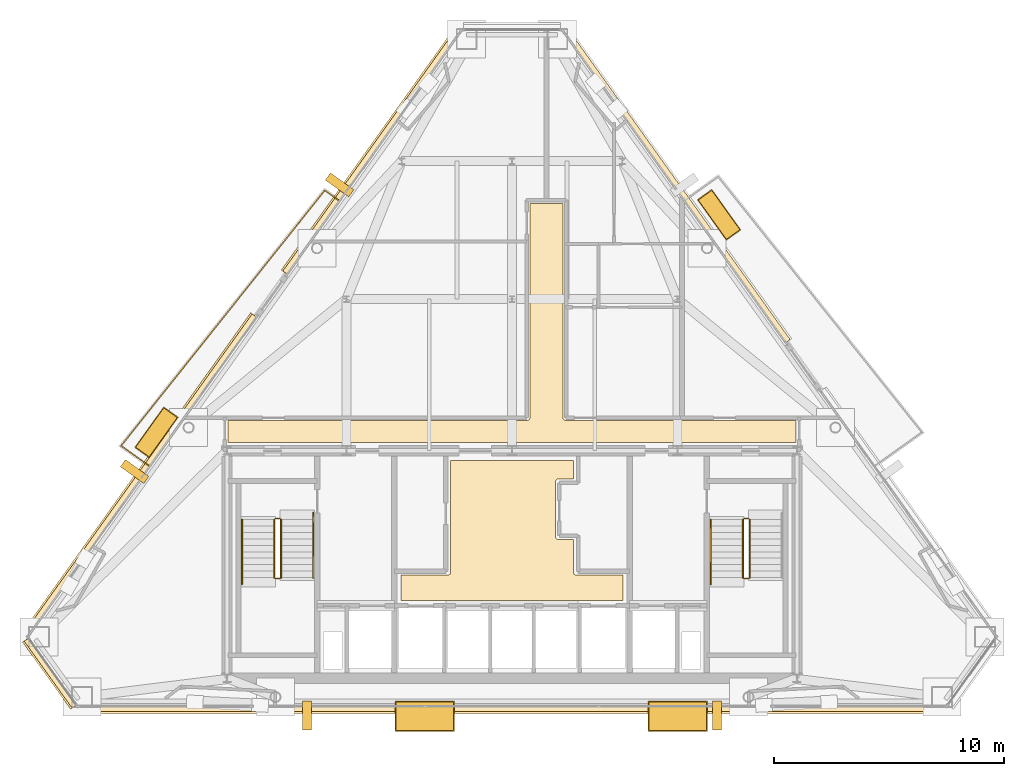
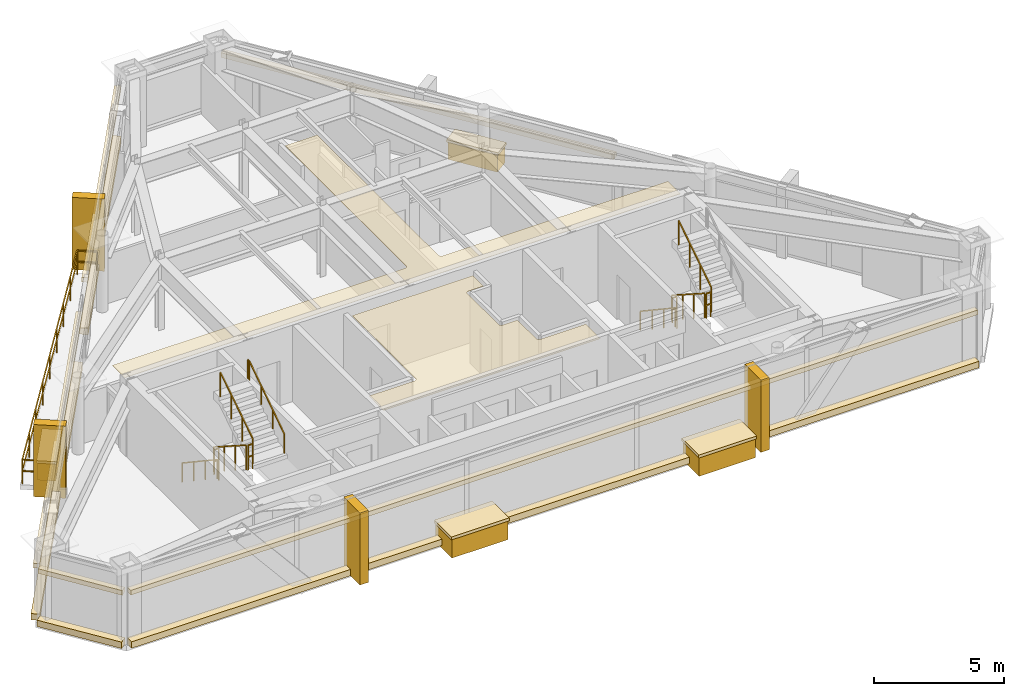
# One storey, part 10 of 11: 23 coverings, 12 railings.
"""IFC4 building model written with IfcOpenShell, lengths in metres."""

from ifc_helpers import new_model, si_unit, direction, frame, origin, origin_2d, place, context, subcontext, project, spatial, polyline, rectangle, outline, extrude, material, layer, layer_set, type_object, element, save


model = new_model("IFC4")

# Units and contexts
model_context = context("Model", 3, precision=1e-05, world=origin(), true_north=direction((0.0, 1.0)))
body_context = subcontext(model_context, "Body", "Model", "MODEL_VIEW")
ifc_project = project(units=[si_unit("LENGTHUNIT", "METRE"), si_unit("AREAUNIT", "SQUARE_METRE"), si_unit("VOLUMEUNIT", "CUBIC_METRE"), si_unit("PLANEANGLEUNIT", "RADIAN"), si_unit("MASSUNIT", "GRAM", prefix="KILO")], contexts=[model_context])

# Site, building, storey
site_placement = place(None, origin())
site = spatial("IfcSite", under=ifc_project, at=site_placement, CompositionType="ELEMENT")
building_placement = place(site_placement, origin())
building = spatial("IfcBuilding", under=site, at=building_placement, Name="Talgorran Terracotta Tower", CompositionType="ELEMENT")
storey_placement = place(building_placement, frame((0.0, 0.0, 274.199951171875)))
storey = spatial("IfcBuildingStorey", under=building, at=storey_placement, Name="L72", CompositionType="ELEMENT", Elevation=274.199951171875)

# Coverings
ifc_material_1 = material(Name="Kiln-Fired Terracotta Ochre Ceramic", Category="masonry")
ifc_layer_1 = layer(ifc_material_1, 0.179931640625, Name="COV_BAGUETTE_TERRACOTTA_SCREEN")
ifc_layer_set_1 = layer_set([ifc_layer_1], Name="Kiln-Fired Terracotta Ochre Ceramic")
covering_type_1 = type_object("IfcCoveringType", Name="COV_BAGUETTE_TERRACOTTA_SCREEN", PredefinedType="CLADDING", material=ifc_layer_set_1)
covering_1_placement = place(storey_placement, frame((-20.07958984375, -13.869384765625, 2.41015625), z_axis=(0.0, 0.0, 1.0), x_axis=(0.58173974083, -0.813374989743, 0.0)))
element("IfcCovering", 1, at=covering_1_placement, inside=storey, type_object=covering_type_1, Name="L72 Terracotta Baguette Solar Screen Assembly F0", PredefinedType="CLADDING", context=body_context, shape_type="SweptSolid", body=[
    extrude(rectangle(XDim=3.5673828125, YDim=0.260009765625, at=origin_2d()), origin(), (0.0, 0.0, 1.0), 0.219970703125),
])
covering_2_placement = place(storey_placement, frame((0.0, -15.4189453125, 2.41015625), z_axis=(0.0, 0.0, 1.0), x_axis=(1.0, 0.0, 0.0)))
element("IfcCovering", 2, at=covering_2_placement, inside=storey, type_object=covering_type_1, Name="L72 Terracotta Baguette Solar Screen Assembly F1", PredefinedType="CLADDING", context=body_context, shape_type="SweptSolid", body=[
    extrude(rectangle(XDim=37.699951171875, YDim=0.260009765625, at=origin_2d()), origin(), (0.0, 0.0, 1.0), 0.219970703125),
])
covering_3_placement = place(storey_placement, frame((7.16259765625, 7.323486328125, 2.41015625), z_axis=(0.0, 0.0, 1.0), x_axis=(-0.58173974083, 0.813374989743, 0.0)))
element("IfcCovering", 3, at=covering_3_placement, inside=storey, type_object=covering_type_1, Name="L72 Terracotta Baguette Solar Screen Assembly F41", PredefinedType="CLADDING", context=body_context, shape_type="SweptSolid", body=[
    extrude(rectangle(XDim=16.627197265625, YDim=0.260009765625, at=origin_2d()), origin(), (0.0, 0.0, 1.0), 0.219970703125),
])
covering_4_placement = place(storey_placement, frame((-6.095947265625, 8.814697265625, 2.41015625), z_axis=(0.0, 0.0, 1.0), x_axis=(-0.58172554467, -0.813385142893, 0.0)))
element("IfcCovering", 4, at=covering_4_placement, inside=storey, type_object=covering_type_1, Name="L72 Terracotta Baguette Solar Screen Assembly F60", PredefinedType="CLADDING", context=body_context, shape_type="SweptSolid", body=[
    extrude(rectangle(XDim=12.96044921875, YDim=0.260009765625, at=origin_2d()), origin(), (0.0, 0.0, 1.0), 0.219970703125),
])
covering_5_placement = place(storey_placement, frame((-16.148681640625, -5.241455078125, 2.41015625), z_axis=(0.0, 0.0, 1.0), x_axis=(-0.58172554467, -0.813385142893, 0.0)))
element("IfcCovering", 5, at=covering_5_placement, inside=storey, type_object=covering_type_1, Name="L72 Terracotta Baguette Solar Screen Assembly F61", PredefinedType="CLADDING", context=body_context, shape_type="SweptSolid", body=[
    extrude(rectangle(XDim=17.001708984375, YDim=0.260009765625, at=origin_2d()), origin(), (0.0, 0.0, 1.0), 0.219970703125),
])
ifc_material_2 = material(Name="Mineral Fibre Acoustic Tile")
ifc_layer_2 = layer(ifc_material_2, 0.02490234375, Name="COV_CEIL_ACOUSTIC")
ifc_layer_set_2 = layer_set([ifc_layer_2], Name="Mineral Fibre Acoustic Tile")
covering_type_2 = type_object("IfcCoveringType", Name="COV_CEIL_ACOUSTIC", PredefinedType="CEILING", material=ifc_layer_set_2)
covering_6_placement = place(storey_placement, frame((0.0, 0.0, 3.255126953125)))
element("IfcCovering", 6, at=covering_6_placement, inside=storey, type_object=covering_type_2, Name="CEIL-L72-2", PredefinedType="CEILING", context=body_context, shape_type="SweptSolid", body=[
    extrude(outline(polyline([(-12.364990234375, -2.885009765625), (0.64990234375, -2.885009765625), (0.66162109375, -2.884521484375), (0.67333984375, -2.8828125), (0.6845703125, -2.8798828125), (0.69287109375, -2.87744140625), (0.7041015625, -2.87353515625), (0.714599609375, -2.868408203125), (0.724853515625, -2.8623046875), (0.734375, -2.85546875), (0.742919921875, -2.847412109375), (0.7509765625, -2.8388671875), (0.756591796875, -2.83203125), (0.763671875, -2.822509765625), (0.769775390625, -2.8125), (0.774658203125, -2.8017578125), (0.77880859375, -2.79052734375), (0.781494140625, -2.779296875), (0.783203125, -2.767578125), (0.783935546875, -2.755615234375), (0.784912109375, 6.56494140625), (2.215087890625, 6.56494140625), (2.215087890625, -2.75), (2.215576171875, -2.76171875), (2.21728515625, -2.773193359375), (2.22021484375, -2.78466796875), (2.22265625, -2.79296875), (2.2265625, -2.803955078125), (2.231689453125, -2.814697265625), (2.237548828125, -2.82470703125), (2.24462890625, -2.834228515625), (2.25244140625, -2.843017578125), (2.26123046875, -2.850830078125), (2.26806640625, -2.8564453125), (2.277587890625, -2.863525390625), (2.28759765625, -2.86962890625), (2.29833984375, -2.874755859375), (2.309326171875, -2.878662109375), (2.32080078125, -2.881591796875), (2.33251953125, -2.88330078125), (2.34423828125, -2.8837890625), (12.364990234375, -2.885009765625), (12.364990234375, -3.844970703125), (7.432861328125, -3.844970703125), (6.968017578125, -3.843017578125), (6.967529296875, -3.843017578125), (0.232666015625, -3.844970703125), (-0.23193359375, -3.843017578125), (-0.232421875, -3.843017578125), (-6.96728515625, -3.844970703125), (-7.431884765625, -3.843017578125), (-7.4326171875, -3.843017578125), (-12.364990234375, -3.844970703125), (-12.364990234375, -2.885009765625)])), origin(), (0.0, 0.0, 1.0), 0.02001953125),
])
ifc_material_3 = material(Name="Flush Moisture-Resistant Plaster")
ifc_layer_3 = layer(ifc_material_3, 0.01806640625, Name="COV_CEIL_PLASTER")
ifc_layer_set_3 = layer_set([ifc_layer_3], Name="Flush Moisture-Resistant Plaster")
covering_type_3 = type_object("IfcCoveringType", Name="COV_CEIL_PLASTER", PredefinedType="CEILING", material=ifc_layer_set_3)
covering_7_placement = place(storey_placement, frame((0.0, 0.0, 3.255126953125)))
element("IfcCovering", 7, at=covering_7_placement, inside=storey, type_object=covering_type_3, Name="CEIL-L72-1", PredefinedType="CEILING", context=body_context, shape_type="SweptSolid", body=[
    extrude(outline(polyline([(4.830078125, -9.6201171875), (4.830078125, -10.72998046875), (-4.830078125, -10.72998046875), (-4.830078125, -9.6201171875), (-2.800048828125, -9.6201171875), (-2.7880859375, -9.619384765625), (-2.776611328125, -9.61767578125), (-2.76513671875, -9.61474609375), (-2.754150390625, -9.61083984375), (-2.743408203125, -9.605712890625), (-2.7333984375, -9.599853515625), (-2.723876953125, -9.5927734375), (-2.715087890625, -9.5849609375), (-2.707275390625, -9.576171875), (-2.7001953125, -9.566650390625), (-2.694091796875, -9.556640625), (-2.689208984375, -9.5458984375), (-2.685302734375, -9.534912109375), (-2.682373046875, -9.5234375), (-2.6806640625, -9.51171875), (-2.679931640625, -9.5), (-2.679931640625, -4.6201171875), (2.679931640625, -4.6201171875), (2.679931640625, -5.429931640625), (2.02001953125, -5.429931640625), (2.00830078125, -5.4306640625), (1.99658203125, -5.432373046875), (1.985107421875, -5.435302734375), (1.97412109375, -5.439208984375), (1.96337890625, -5.444091796875), (1.953369140625, -5.4501953125), (1.94384765625, -5.457275390625), (1.93505859375, -5.465087890625), (1.92724609375, -5.473876953125), (1.920166015625, -5.4833984375), (1.914306640625, -5.493408203125), (1.9091796875, -5.504150390625), (1.9052734375, -5.51513671875), (1.90234375, -5.526611328125), (1.900634765625, -5.5380859375), (1.89990234375, -5.550048828125), (1.89990234375, -7.949951171875), (1.900634765625, -7.9619140625), (1.90234375, -7.973388671875), (1.9052734375, -7.98486328125), (1.9091796875, -7.995849609375), (1.914306640625, -8.006591796875), (1.920166015625, -8.0166015625), (1.92724609375, -8.026123046875), (1.93505859375, -8.034912109375), (1.94384765625, -8.042724609375), (1.953369140625, -8.0498046875), (1.96337890625, -8.055908203125), (1.97412109375, -8.060791015625), (1.985107421875, -8.064697265625), (1.99658203125, -8.067626953125), (2.00830078125, -8.0693359375), (2.02001953125, -8.070068359375), (2.679931640625, -8.070068359375), (2.679931640625, -9.5), (2.6806640625, -9.51171875), (2.682373046875, -9.5234375), (2.685302734375, -9.534912109375), (2.689208984375, -9.5458984375), (2.694091796875, -9.556640625), (2.7001953125, -9.566650390625), (2.707275390625, -9.576171875), (2.715087890625, -9.5849609375), (2.723876953125, -9.5927734375), (2.7333984375, -9.599853515625), (2.743408203125, -9.605712890625), (2.754150390625, -9.61083984375), (2.76513671875, -9.61474609375), (2.776611328125, -9.61767578125), (2.7880859375, -9.619384765625), (2.800048828125, -9.6201171875), (4.830078125, -9.6201171875)])), origin(), (0.0, 0.0, 1.0), 0.02001953125),
])
ifc_material_4 = material(Name="Honed Limestone and Terracotta Planter", Category="masonry")
ifc_layer_4 = layer(ifc_material_4, 0.1201171875, Name="COV_PLANTER_BOX")
ifc_layer_set_4 = layer_set([ifc_layer_4], Name="Honed Limestone and Terracotta Planter")
covering_type_4 = type_object("IfcCoveringType", Name="COV_PLANTER_BOX", PredefinedType="CLADDING", material=ifc_layer_set_4)
for number, where, z_axis, x_axis, name in (
    (8, (7.212890625, -15.7587890625, -0.179931640625), (0.0, 0.0, 1.0), (1.0, 0.0, 0.0), "L72 Staggered South Facade Planter Box 1"),
    (9, (-3.79638671875, -15.7587890625, -0.179931640625), (0.0, 0.0, 1.0), (1.0, 0.0, 0.0), "L72 Staggered South Facade Planter Box 2"),
):
    element("IfcCovering", number, at=place(storey_placement, frame(where, z_axis=z_axis, x_axis=x_axis)), inside=storey, type_object=covering_type_4, Name=name, PredefinedType="CLADDING", context=body_context, shape_type="SweptSolid", body=[
        extrude(rectangle(XDim=2.5, YDim=1.25, at=origin_2d()), origin(), (0.0, 0.0, 1.0), 0.919921875),
    ])
for number, where, z_axis, x_axis, name in (
    (10, (9.010986328125, 6.0625, -0.02001953125), (0.0, 0.0, 1.0), (-0.58172554467, 0.813385142893, 0.0), "L72 Staggered Balcony Planter Box BAL-NE"),
    (11, (-15.4716796875, -3.402587890625, -0.02001953125), (0.0, 0.0, 1.0), (-0.58172554467, -0.813385142893, 0.0), "L72 Staggered Balcony Planter Box BAL-NW"),
):
    element("IfcCovering", number, at=place(storey_placement, frame(where, z_axis=z_axis, x_axis=x_axis)), inside=storey, type_object=covering_type_4, Name=name, PredefinedType="CLADDING", context=body_context, shape_type="SweptSolid", body=[
        extrude(rectangle(XDim=2.10009765625, YDim=0.719970703125, at=origin_2d()), origin(), (0.0, 0.0, 1.0), 0.860107421875),
    ])
ifc_material_5 = material(Name="Kiln-Fired Terracotta Planter Rim", Category="masonry")
ifc_layer_5 = layer(ifc_material_5, 0.10009765625, Name="COV_PLANTER_RIM")
ifc_layer_set_5 = layer_set([ifc_layer_5], Name="Kiln-Fired Terracotta Planter Rim")
covering_type_5 = type_object("IfcCoveringType", Name="COV_PLANTER_RIM", PredefinedType="CLADDING", material=ifc_layer_set_5)
for number, where, z_axis, x_axis, name in (
    (12, (7.212890625, -15.7587890625, 0.7099609375), (0.0, 0.0, 1.0), (1.0, 0.0, 0.0), "L72 South Planter Terracotta Rim 1"),
    (13, (-3.79638671875, -15.7587890625, 0.7099609375), (0.0, 0.0, 1.0), (1.0, 0.0, 0.0), "L72 South Planter Terracotta Rim 2"),
):
    element("IfcCovering", number, at=place(storey_placement, frame(where, z_axis=z_axis, x_axis=x_axis)), inside=storey, type_object=covering_type_5, Name=name, PredefinedType="CLADDING", context=body_context, shape_type="SweptSolid", body=[
        extrude(rectangle(XDim=2.580078125, YDim=1.320068359375, at=origin_2d()), origin(), (0.0, 0.0, 1.0), 0.139892578125),
    ])
for number, where, z_axis, x_axis, name in (
    (14, (9.010986328125, 6.0625, 0.800048828125), (0.0, 0.0, 1.0), (-0.58172554467, 0.813385142893, 0.0), "L72 Balcony Planter Terracotta Rim BAL-NE"),
    (15, (-15.4716796875, -3.402587890625, 0.800048828125), (0.0, 0.0, 1.0), (-0.58172554467, -0.813385142893, 0.0), "L72 Balcony Planter Terracotta Rim BAL-NW"),
):
    element("IfcCovering", number, at=place(storey_placement, frame(where, z_axis=z_axis, x_axis=x_axis)), inside=storey, type_object=covering_type_5, Name=name, PredefinedType="CLADDING", context=body_context, shape_type="SweptSolid", body=[
        extrude(rectangle(XDim=2.179931640625, YDim=0.780029296875, at=origin_2d()), origin(), (0.0, 0.0, 1.0), 0.1201171875),
    ])
ifc_material_6 = material(Name="Honed Limestone Cladding", Category="masonry")
ifc_layer_6 = layer(ifc_material_6, 0.094970703125, Name="COV_PORTAL_LIME")
ifc_layer_set_6 = layer_set([ifc_layer_6], Name="Honed Limestone Cladding")
covering_type_6 = type_object("IfcCoveringType", Name="COV_PORTAL_LIME", PredefinedType="CLADDING", material=ifc_layer_set_6)
covering_8_placement = place(storey_placement, frame((-20.1123046875, -13.892578125, -0.0400390625), z_axis=(0.0, 0.0, 1.0), x_axis=(0.58173974083, -0.813374989743, 0.0)))
element("IfcCovering", 16, at=covering_8_placement, inside=storey, type_object=covering_type_6, Name="L72 Striped Postmodern Portal Cladding Band F0", PredefinedType="CLADDING", context=body_context, shape_type="SweptSolid", body=[
    extrude(rectangle(XDim=3.58740234375, YDim=0.340087890625, at=origin_2d()), origin(), (0.0, 0.0, 1.0), 0.300048828125),
])
covering_9_placement = place(storey_placement, frame((0.0, -15.458984375, -0.0400390625), z_axis=(0.0, 0.0, 1.0), x_axis=(1.0, 0.0, 0.0)))
element("IfcCovering", 17, at=covering_9_placement, inside=storey, type_object=covering_type_6, Name="L72 Striped Postmodern Portal Cladding Band F1", PredefinedType="CLADDING", context=body_context, shape_type="SweptSolid", body=[
    extrude(rectangle(XDim=37.719970703125, YDim=0.340087890625, at=origin_2d()), origin(), (0.0, 0.0, 1.0), 0.300048828125),
])
covering_10_placement = place(storey_placement, frame((-6.12841796875, 8.837890625, -0.0400390625), z_axis=(0.0, 0.0, 1.0), x_axis=(-0.58172554467, -0.813385142893, 0.0)))
element("IfcCovering", 18, at=covering_10_placement, inside=storey, type_object=covering_type_6, Name="L72 Striped Postmodern Portal Cladding Band F60", PredefinedType="CLADDING", context=body_context, shape_type="SweptSolid", body=[
    extrude(rectangle(XDim=12.98046875, YDim=0.340087890625, at=origin_2d()), origin(), (0.0, 0.0, 1.0), 0.300048828125),
])
covering_11_placement = place(storey_placement, frame((-16.181396484375, -5.21826171875, -0.0400390625), z_axis=(0.0, 0.0, 1.0), x_axis=(-0.58172554467, -0.813385142893, 0.0)))
element("IfcCovering", 19, at=covering_11_placement, inside=storey, type_object=covering_type_6, Name="L72 Striped Postmodern Portal Cladding Band F61", PredefinedType="CLADDING", context=body_context, shape_type="SweptSolid", body=[
    extrude(rectangle(XDim=17.021728515625, YDim=0.340087890625, at=origin_2d()), origin(), (0.0, 0.0, 1.0), 0.300048828125),
])
for number, where, z_axis, x_axis, name in (
    (20, (8.92138671875, -15.718994140625, -0.050048828125), (0.0, 0.0, 1.0), (1.0, 0.0, 0.0), "L72 White Striped Portal Fin F1-2"),
    (21, (-16.421875, -5.107421875, -0.050048828125), (0.0, 0.0, 1.0), (-0.58172554467, -0.813385142893, 0.0), "L72 White Striped Portal Fin F5-2"),
):
    element("IfcCovering", number, at=place(storey_placement, frame(where, z_axis=z_axis, x_axis=x_axis)), inside=storey, type_object=covering_type_6, Name=name, PredefinedType="CLADDING", context=body_context, shape_type="SweptSolid", body=[
        extrude(rectangle(XDim=0.3798828125, YDim=1.25, at=origin_2d()), origin(), (0.0, 0.0, 1.0), 3.39501953125),
    ])
ifc_material_7 = material(Name="Kiln-Fired Terracotta Cladding", Category="masonry")
ifc_layer_7 = layer(ifc_material_7, 0.090087890625, Name="COV_PORTAL_TERRA")
ifc_layer_set_7 = layer_set([ifc_layer_7], Name="Kiln-Fired Terracotta Cladding")
covering_type_7 = type_object("IfcCoveringType", Name="COV_PORTAL_TERRA", PredefinedType="CLADDING", material=ifc_layer_set_7)
for number, where, z_axis, x_axis, name in (
    (22, (-8.92138671875, -15.718994140625, -0.050048828125), (0.0, 0.0, 1.0), (1.0, 0.0, 0.0), "L72 Terracotta Striped Portal Fin F1-1"),
    (23, (-7.50048828125, 7.366455078125, -0.050048828125), (0.0, 0.0, 1.0), (-0.58172554467, -0.813385142893, 0.0), "L72 Terracotta Striped Portal Fin F5-1"),
):
    element("IfcCovering", number, at=place(storey_placement, frame(where, z_axis=z_axis, x_axis=x_axis)), inside=storey, type_object=covering_type_7, Name=name, PredefinedType="CLADDING", context=body_context, shape_type="SweptSolid", body=[
        extrude(rectangle(XDim=0.3798828125, YDim=1.25, at=origin_2d()), origin(), (0.0, 0.0, 1.0), 3.39501953125),
    ])

# Railings
ifc_material_8 = material(Name="Laminated Glass and Stainless Steel 316", Category="steel")
railing_type_1 = type_object("IfcRailingType", Name="RL_BALCONY_1150", PredefinedType="BALUSTRADE", material=ifc_material_8)
railing_1_placement = place(storey_placement, frame((-7.522705078125, 6.682373046875, 0.0)))
element("IfcRailing", 24, at=railing_1_placement, inside=storey, type_object=railing_type_1, Name="RL-L72-BAL-BAL-NW", PredefinedType="BALUSTRADE", context=body_context, shape_type="SweptSolid", body=[
    extrude(rectangle(XDim=0.048095703125, YDim=0.048095703125, at=origin_2d()), frame((0.0, 0.0, 1.1259765625), z_axis=(-0.81336835984, 0.581749010495, 0.0), x_axis=(-0.581749010495, -0.81336835984, 0.0)), (0.0, 0.0, 1.0), 0.768310546875),
    extrude(rectangle(XDim=0.048095703125, YDim=0.048095703125, at=origin_2d()), frame((0.0, 0.0, 0.597900390625), z_axis=(-0.81336835984, 0.581749010495, 0.0), x_axis=(-0.581749010495, -0.81336835984, 0.0)), (0.0, 0.0, 1.0), 0.768310546875),
    extrude(rectangle(XDim=0.048095703125, YDim=0.048095703125, at=origin_2d()), frame((-0.625, 0.447021484375, 1.1259765625), z_axis=(-0.623320220821, -0.78196668875, 0.0), x_axis=(0.78196668875, -0.623320220821, 0.0)), (0.0, 0.0, 1.0), 14.21630859375),
    extrude(rectangle(XDim=0.048095703125, YDim=0.048095703125, at=origin_2d()), frame((-0.625, 0.447021484375, 0.597900390625), z_axis=(-0.623320220821, -0.78196668875, 0.0), x_axis=(0.78196668875, -0.623320220821, 0.0)), (0.0, 0.0, 1.0), 14.21630859375),
    extrude(rectangle(XDim=0.048095703125, YDim=0.048095703125, at=origin_2d()), frame((-9.486328125, -10.669677734375, 1.1259765625), z_axis=(0.813383549178, -0.58172777304, 0.0), x_axis=(0.58172777304, 0.813383549178, 0.0)), (0.0, 0.0, 1.0), 1.50927734375),
    extrude(rectangle(XDim=0.048095703125, YDim=0.048095703125, at=origin_2d()), frame((-9.486328125, -10.669677734375, 0.597900390625), z_axis=(0.813383549178, -0.58172777304, 0.0), x_axis=(0.58172777304, 0.813383549178, 0.0)), (0.0, 0.0, 1.0), 1.50927734375),
    extrude(rectangle(XDim=0.0419921875, YDim=0.0419921875, at=origin_2d()), origin(), (0.0, 0.0, 1.0), 1.101806640625),
    extrude(rectangle(XDim=0.0419921875, YDim=0.0419921875, at=origin_2d()), frame((-0.625, 0.447021484375, 0.0)), (0.0, 0.0, 1.0), 1.101806640625),
    extrude(rectangle(XDim=0.0419921875, YDim=0.0419921875, at=origin_2d()), frame((-1.732666015625, -0.942626953125, 0.0)), (0.0, 0.0, 1.0), 1.101806640625),
    extrude(rectangle(XDim=0.0419921875, YDim=0.0419921875, at=origin_2d()), frame((-2.84033203125, -2.33203125, 0.0)), (0.0, 0.0, 1.0), 1.101806640625),
    extrude(rectangle(XDim=0.0419921875, YDim=0.0419921875, at=origin_2d()), frame((-3.947998046875, -3.7216796875, 0.0)), (0.0, 0.0, 1.0), 1.101806640625),
    extrude(rectangle(XDim=0.0419921875, YDim=0.0419921875, at=origin_2d()), frame((-5.0556640625, -5.111328125, 0.0)), (0.0, 0.0, 1.0), 1.101806640625),
    extrude(rectangle(XDim=0.0419921875, YDim=0.0419921875, at=origin_2d()), frame((-6.163330078125, -6.5009765625, 0.0)), (0.0, 0.0, 1.0), 1.101806640625),
    extrude(rectangle(XDim=0.0419921875, YDim=0.0419921875, at=origin_2d()), frame((-7.27099609375, -7.890625, 0.0)), (0.0, 0.0, 1.0), 1.101806640625),
    extrude(rectangle(XDim=0.0419921875, YDim=0.0419921875, at=origin_2d()), frame((-8.378662109375, -9.280029296875, 0.0)), (0.0, 0.0, 1.0), 1.101806640625),
    extrude(rectangle(XDim=0.0419921875, YDim=0.0419921875, at=origin_2d()), frame((-9.486328125, -10.669677734375, 0.0)), (0.0, 0.0, 1.0), 1.101806640625),
    extrude(rectangle(XDim=0.0419921875, YDim=0.0419921875, at=origin_2d()), frame((-8.2587890625, -11.547607421875, 0.0)), (0.0, 0.0, 1.0), 1.101806640625),
])
ifc_material_9 = material(Name="Steel S355 (300PLUS)", Category="steel")
railing_type_2 = type_object("IfcRailingType", Name="RL_HANDRAIL_920", PredefinedType="HANDRAIL", material=ifc_material_9)
railing_2_placement = place(storey_placement, frame((-11.75, -7.199951171875, 0.179931640625)))
element("IfcRailing", 25, at=railing_2_placement, inside=storey, type_object=railing_type_2, Name="L72 ST-01 stair handrail 1", PredefinedType="HANDRAIL", context=body_context, shape_type="SweptSolid", body=[
    extrude(rectangle(XDim=0.048095703125, YDim=0.048095703125, at=origin_2d()), frame((0.0, 0.0, 0.89599609375), z_axis=(0.0, -0.832038719335, 0.554717558338), x_axis=(1.0, 0.0, 0.0)), (0.0, 0.0, 1.0), 3.244873046875),
    extrude(rectangle(XDim=0.048095703125, YDim=0.048095703125, at=origin_2d()), frame((0.0, -2.699951171875, 2.69580078125), z_axis=(0.0, -1.0, 0.0), x_axis=(1.0, 0.0, 0.0)), (0.0, 0.0, 1.0), 0.1201171875),
    extrude(rectangle(XDim=0.0419921875, YDim=0.0419921875, at=origin_2d()), origin(), (0.0, 0.0, 1.0), 0.871826171875),
    extrude(rectangle(XDim=0.0419921875, YDim=0.0419921875, at=origin_2d()), frame((0.0, -0.89990234375, 0.60009765625)), (0.0, 0.0, 1.0), 0.871826171875),
    extrude(rectangle(XDim=0.0419921875, YDim=0.0419921875, at=origin_2d()), frame((0.0, -1.800048828125, 1.199951171875)), (0.0, 0.0, 1.0), 0.871826171875),
    extrude(rectangle(XDim=0.0419921875, YDim=0.0419921875, at=origin_2d()), frame((0.0, -2.699951171875, 1.800048828125)), (0.0, 0.0, 1.0), 0.871826171875),
    extrude(rectangle(XDim=0.0419921875, YDim=0.0419921875, at=origin_2d()), frame((0.0, -2.820068359375, 1.800048828125)), (0.0, 0.0, 1.0), 0.871826171875),
])
railing_3_placement = place(storey_placement, frame((-8.64990234375, -9.719970703125, 1.97998046875)))
element("IfcRailing", 26, at=railing_3_placement, inside=storey, type_object=railing_type_2, Name="L72 ST-01 stair handrail 2", PredefinedType="HANDRAIL", context=body_context, shape_type="SweptSolid", body=[
    extrude(rectangle(XDim=0.048095703125, YDim=0.048095703125, at=origin_2d()), frame((0.0, 0.0, 0.89599609375), z_axis=(0.0, 0.832038719335, 0.554717558338), x_axis=(-1.0, 0.0, 0.0)), (0.0, 0.0, 1.0), 3.244873046875),
    extrude(rectangle(XDim=0.048095703125, YDim=0.048095703125, at=origin_2d()), frame((0.0, 2.699951171875, 2.69580078125), z_axis=(0.0, 1.0, 0.0), x_axis=(-1.0, 0.0, 0.0)), (0.0, 0.0, 1.0), 0.1201171875),
    extrude(rectangle(XDim=0.0419921875, YDim=0.0419921875, at=origin_2d()), origin(), (0.0, 0.0, 1.0), 0.871826171875),
    extrude(rectangle(XDim=0.0419921875, YDim=0.0419921875, at=origin_2d()), frame((0.0, 0.89990234375, 0.60009765625)), (0.0, 0.0, 1.0), 0.871826171875),
    extrude(rectangle(XDim=0.0419921875, YDim=0.0419921875, at=origin_2d()), frame((0.0, 1.800048828125, 1.199951171875)), (0.0, 0.0, 1.0), 0.871826171875),
    extrude(rectangle(XDim=0.0419921875, YDim=0.0419921875, at=origin_2d()), frame((0.0, 2.699951171875, 1.800048828125)), (0.0, 0.0, 1.0), 0.871826171875),
    extrude(rectangle(XDim=0.0419921875, YDim=0.0419921875, at=origin_2d()), frame((0.0, 2.820068359375, 1.800048828125)), (0.0, 0.0, 1.0), 0.871826171875),
])
railing_4_placement = place(storey_placement, frame((8.64990234375, -7.199951171875, 0.179931640625)))
element("IfcRailing", 27, at=railing_4_placement, inside=storey, type_object=railing_type_2, Name="L72 ST-02 stair handrail 1", PredefinedType="HANDRAIL", context=body_context, shape_type="SweptSolid", body=[
    extrude(rectangle(XDim=0.048095703125, YDim=0.048095703125, at=origin_2d()), frame((0.0, 0.0, 0.89599609375), z_axis=(0.0, -0.832038719335, 0.554717558338), x_axis=(1.0, 0.0, 0.0)), (0.0, 0.0, 1.0), 3.244873046875),
    extrude(rectangle(XDim=0.048095703125, YDim=0.048095703125, at=origin_2d()), frame((0.0, -2.699951171875, 2.69580078125), z_axis=(0.0, -1.0, 0.0), x_axis=(1.0, 0.0, 0.0)), (0.0, 0.0, 1.0), 0.1201171875),
    extrude(rectangle(XDim=0.0419921875, YDim=0.0419921875, at=origin_2d()), origin(), (0.0, 0.0, 1.0), 0.871826171875),
    extrude(rectangle(XDim=0.0419921875, YDim=0.0419921875, at=origin_2d()), frame((0.0, -0.89990234375, 0.60009765625)), (0.0, 0.0, 1.0), 0.871826171875),
    extrude(rectangle(XDim=0.0419921875, YDim=0.0419921875, at=origin_2d()), frame((0.0, -1.800048828125, 1.199951171875)), (0.0, 0.0, 1.0), 0.871826171875),
    extrude(rectangle(XDim=0.0419921875, YDim=0.0419921875, at=origin_2d()), frame((0.0, -2.699951171875, 1.800048828125)), (0.0, 0.0, 1.0), 0.871826171875),
    extrude(rectangle(XDim=0.0419921875, YDim=0.0419921875, at=origin_2d()), frame((0.0, -2.820068359375, 1.800048828125)), (0.0, 0.0, 1.0), 0.871826171875),
])
railing_type_3 = type_object("IfcRailingType", Name="RL_STAIR_GUARD", PredefinedType="GUARDRAIL", material=ifc_material_9)
railing_5_placement = place(storey_placement, frame((-10.35009765625, -7.199951171875, 0.179931640625)))
element("IfcRailing", 28, at=railing_5_placement, inside=storey, type_object=railing_type_3, Name="L72 ST-01 stair guard 1", PredefinedType="GUARDRAIL", context=body_context, shape_type="SweptSolid", body=[
    extrude(rectangle(XDim=0.048095703125, YDim=0.048095703125, at=origin_2d()), frame((0.0, 0.0, 1.15576171875), z_axis=(0.0, -0.841162588446, 0.540782303519), x_axis=(1.0, 0.0, 0.0)), (0.0, 0.0, 1.0), 2.995849609375),
    extrude(rectangle(XDim=0.0419921875, YDim=0.0419921875, at=origin_2d()), origin(), (0.0, 0.0, 1.0), 1.1318359375),
    extrude(rectangle(XDim=0.0419921875, YDim=0.0419921875, at=origin_2d()), frame((0.0, -0.840087890625, 0.5400390625)), (0.0, 0.0, 1.0), 1.1318359375),
    extrude(rectangle(XDim=0.0419921875, YDim=0.0419921875, at=origin_2d()), frame((0.0, -1.679931640625, 1.080078125)), (0.0, 0.0, 1.0), 1.1318359375),
    extrude(rectangle(XDim=0.0419921875, YDim=0.0419921875, at=origin_2d()), frame((0.0, -2.52001953125, 1.6201171875)), (0.0, 0.0, 1.0), 1.1318359375),
])
railing_6_placement = place(storey_placement, frame((-10.300048828125, -9.77001953125, 1.800048828125)))
element("IfcRailing", 29, at=railing_6_placement, inside=storey, type_object=railing_type_3, Name="L72 ST-01 stair guard 2", PredefinedType="GUARDRAIL", context=body_context, shape_type="SweptSolid", body=[
    extrude(rectangle(XDim=0.048095703125, YDim=0.048095703125, at=origin_2d()), frame((0.0, 0.0, 1.15576171875), z_axis=(1.0, 0.0, 0.0), x_axis=(0.0, 1.0, 0.0)), (0.0, 0.0, 1.0), 0.199951171875),
    extrude(rectangle(XDim=0.048095703125, YDim=0.048095703125, at=origin_2d()), frame((0.0, 0.0, 0.613525390625), z_axis=(1.0, 0.0, 0.0), x_axis=(0.0, 1.0, 0.0)), (0.0, 0.0, 1.0), 0.199951171875),
    extrude(rectangle(XDim=0.0419921875, YDim=0.0419921875, at=origin_2d()), origin(), (0.0, 0.0, 1.0), 1.1318359375),
    extrude(rectangle(XDim=0.0419921875, YDim=0.0419921875, at=origin_2d()), frame((0.199951171875, 0.0, 0.0)), (0.0, 0.0, 1.0), 1.1318359375),
])
railing_7_placement = place(storey_placement, frame((-10.050048828125, -9.719970703125, 1.97998046875)))
element("IfcRailing", 30, at=railing_7_placement, inside=storey, type_object=railing_type_3, Name="L72 ST-01 stair guard 3", PredefinedType="GUARDRAIL", context=body_context, shape_type="SweptSolid", body=[
    extrude(rectangle(XDim=0.048095703125, YDim=0.048095703125, at=origin_2d()), frame((0.0, 0.0, 1.15576171875), z_axis=(0.0, 0.841162588446, 0.540782303519), x_axis=(-1.0, 0.0, 0.0)), (0.0, 0.0, 1.0), 2.995849609375),
    extrude(rectangle(XDim=0.0419921875, YDim=0.0419921875, at=origin_2d()), origin(), (0.0, 0.0, 1.0), 1.1318359375),
    extrude(rectangle(XDim=0.0419921875, YDim=0.0419921875, at=origin_2d()), frame((0.0, 0.840087890625, 0.5400390625)), (0.0, 0.0, 1.0), 1.1318359375),
    extrude(rectangle(XDim=0.0419921875, YDim=0.0419921875, at=origin_2d()), frame((0.0, 1.679931640625, 1.080078125)), (0.0, 0.0, 1.0), 1.1318359375),
    extrude(rectangle(XDim=0.0419921875, YDim=0.0419921875, at=origin_2d()), frame((0.0, 2.52001953125, 1.6201171875)), (0.0, 0.0, 1.0), 1.1318359375),
])
railing_8_placement = place(storey_placement, frame((-10.300048828125, -7.14990234375, 0.0)))
element("IfcRailing", 31, at=railing_8_placement, inside=storey, type_object=railing_type_3, Name="L72 ST-01 stair guard 4", PredefinedType="GUARDRAIL", context=body_context, shape_type="SweptSolid", body=[
    extrude(rectangle(XDim=0.048095703125, YDim=0.048095703125, at=origin_2d()), frame((0.0, 0.0, 1.15576171875), z_axis=(1.0, 0.0, 0.0), x_axis=(0.0, 1.0, 0.0)), (0.0, 0.0, 1.0), 0.199951171875),
    extrude(rectangle(XDim=0.048095703125, YDim=0.048095703125, at=origin_2d()), frame((0.0, 0.0, 0.613525390625), z_axis=(1.0, 0.0, 0.0), x_axis=(0.0, 1.0, 0.0)), (0.0, 0.0, 1.0), 0.199951171875),
    extrude(rectangle(XDim=0.0419921875, YDim=0.0419921875, at=origin_2d()), origin(), (0.0, 0.0, 1.0), 1.1318359375),
    extrude(rectangle(XDim=0.0419921875, YDim=0.0419921875, at=origin_2d()), frame((0.199951171875, 0.0, 0.0)), (0.0, 0.0, 1.0), 1.1318359375),
])
railing_9_placement = place(storey_placement, frame((10.050048828125, -7.199951171875, 0.179931640625)))
element("IfcRailing", 32, at=railing_9_placement, inside=storey, type_object=railing_type_3, Name="L72 ST-02 stair guard 1", PredefinedType="GUARDRAIL", context=body_context, shape_type="SweptSolid", body=[
    extrude(rectangle(XDim=0.048095703125, YDim=0.048095703125, at=origin_2d()), frame((0.0, 0.0, 1.15576171875), z_axis=(0.0, -0.841162588446, 0.540782303519), x_axis=(1.0, 0.0, 0.0)), (0.0, 0.0, 1.0), 2.995849609375),
    extrude(rectangle(XDim=0.0419921875, YDim=0.0419921875, at=origin_2d()), origin(), (0.0, 0.0, 1.0), 1.1318359375),
    extrude(rectangle(XDim=0.0419921875, YDim=0.0419921875, at=origin_2d()), frame((0.0, -0.840087890625, 0.5400390625)), (0.0, 0.0, 1.0), 1.1318359375),
    extrude(rectangle(XDim=0.0419921875, YDim=0.0419921875, at=origin_2d()), frame((0.0, -1.679931640625, 1.080078125)), (0.0, 0.0, 1.0), 1.1318359375),
    extrude(rectangle(XDim=0.0419921875, YDim=0.0419921875, at=origin_2d()), frame((0.0, -2.52001953125, 1.6201171875)), (0.0, 0.0, 1.0), 1.1318359375),
])
railing_10_placement = place(storey_placement, frame((10.10009765625, -9.77001953125, 1.800048828125)))
element("IfcRailing", 33, at=railing_10_placement, inside=storey, type_object=railing_type_3, Name="L72 ST-02 stair guard 2", PredefinedType="GUARDRAIL", context=body_context, shape_type="SweptSolid", body=[
    extrude(rectangle(XDim=0.048095703125, YDim=0.048095703125, at=origin_2d()), frame((0.0, 0.0, 1.15576171875), z_axis=(1.0, 0.0, 0.0), x_axis=(0.0, 1.0, 0.0)), (0.0, 0.0, 1.0), 0.199951171875),
    extrude(rectangle(XDim=0.048095703125, YDim=0.048095703125, at=origin_2d()), frame((0.0, 0.0, 0.613525390625), z_axis=(1.0, 0.0, 0.0), x_axis=(0.0, 1.0, 0.0)), (0.0, 0.0, 1.0), 0.199951171875),
    extrude(rectangle(XDim=0.0419921875, YDim=0.0419921875, at=origin_2d()), origin(), (0.0, 0.0, 1.0), 1.1318359375),
    extrude(rectangle(XDim=0.0419921875, YDim=0.0419921875, at=origin_2d()), frame((0.199951171875, 0.0, 0.0)), (0.0, 0.0, 1.0), 1.1318359375),
])
railing_11_placement = place(storey_placement, frame((10.35009765625, -9.719970703125, 1.97998046875)))
element("IfcRailing", 34, at=railing_11_placement, inside=storey, type_object=railing_type_3, Name="L72 ST-02 stair guard 3", PredefinedType="GUARDRAIL", context=body_context, shape_type="SweptSolid", body=[
    extrude(rectangle(XDim=0.048095703125, YDim=0.048095703125, at=origin_2d()), frame((0.0, 0.0, 1.15576171875), z_axis=(0.0, 0.841162588446, 0.540782303519), x_axis=(-1.0, 0.0, 0.0)), (0.0, 0.0, 1.0), 2.995849609375),
    extrude(rectangle(XDim=0.0419921875, YDim=0.0419921875, at=origin_2d()), origin(), (0.0, 0.0, 1.0), 1.1318359375),
    extrude(rectangle(XDim=0.0419921875, YDim=0.0419921875, at=origin_2d()), frame((0.0, 0.840087890625, 0.5400390625)), (0.0, 0.0, 1.0), 1.1318359375),
    extrude(rectangle(XDim=0.0419921875, YDim=0.0419921875, at=origin_2d()), frame((0.0, 1.679931640625, 1.080078125)), (0.0, 0.0, 1.0), 1.1318359375),
    extrude(rectangle(XDim=0.0419921875, YDim=0.0419921875, at=origin_2d()), frame((0.0, 2.52001953125, 1.6201171875)), (0.0, 0.0, 1.0), 1.1318359375),
])
railing_12_placement = place(storey_placement, frame((10.10009765625, -7.14990234375, 0.0)))
element("IfcRailing", 35, at=railing_12_placement, inside=storey, type_object=railing_type_3, Name="L72 ST-02 stair guard 4", PredefinedType="GUARDRAIL", context=body_context, shape_type="SweptSolid", body=[
    extrude(rectangle(XDim=0.048095703125, YDim=0.048095703125, at=origin_2d()), frame((0.0, 0.0, 1.15576171875), z_axis=(1.0, 0.0, 0.0), x_axis=(0.0, 1.0, 0.0)), (0.0, 0.0, 1.0), 0.199951171875),
    extrude(rectangle(XDim=0.048095703125, YDim=0.048095703125, at=origin_2d()), frame((0.0, 0.0, 0.613525390625), z_axis=(1.0, 0.0, 0.0), x_axis=(0.0, 1.0, 0.0)), (0.0, 0.0, 1.0), 0.199951171875),
    extrude(rectangle(XDim=0.0419921875, YDim=0.0419921875, at=origin_2d()), origin(), (0.0, 0.0, 1.0), 1.1318359375),
    extrude(rectangle(XDim=0.0419921875, YDim=0.0419921875, at=origin_2d()), frame((0.199951171875, 0.0, 0.0)), (0.0, 0.0, 1.0), 1.1318359375),
])

save(model, "model.ifc")
